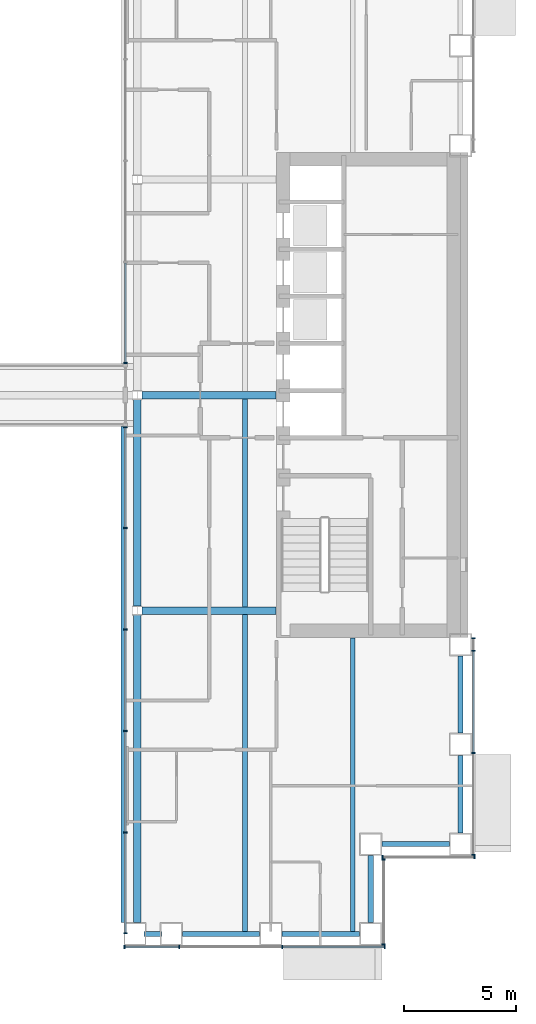
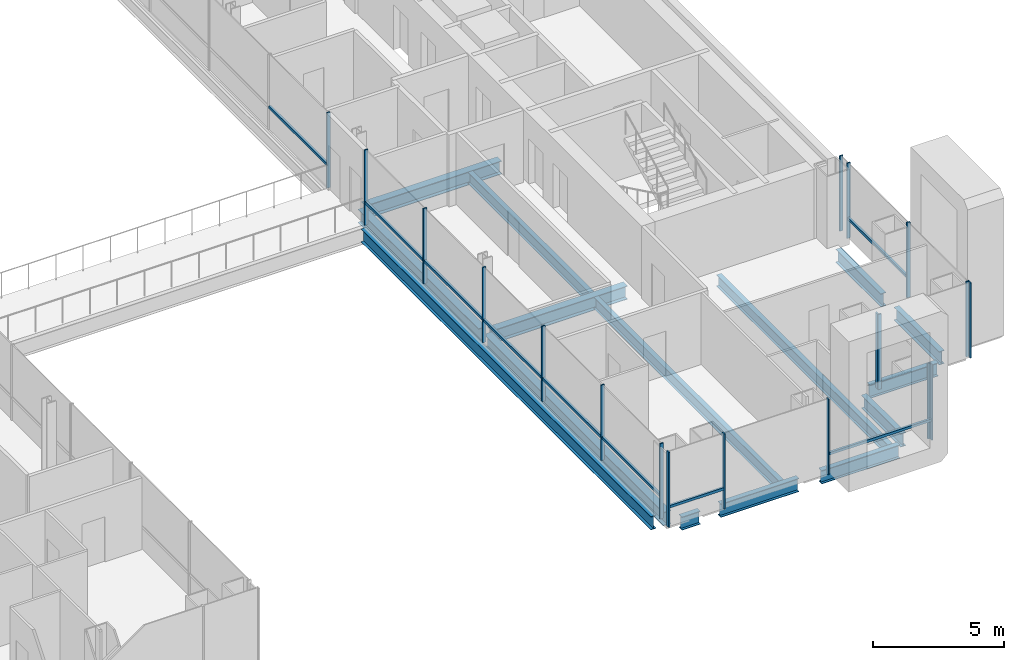
# One storey, part 4 of 21: 28 members, 15 beams, 6 elements without a shape of their own.
"""IFC4 building model written with IfcOpenShell, lengths in metres."""

from ifc_helpers import new_model, si_unit, direction, frame, origin, origin_2d, place, context, subcontext, project, spatial, rectangle, i_section, extrude, material, material_profile, profile_set, type_object, element, aggregate, save


model = new_model("IFC4")

# Units and contexts
model_context = context("Model", 3, precision=1e-05, world=origin(), true_north=direction((0.0, 1.0)))
body_context = subcontext(model_context, "Body", "Model", "MODEL_VIEW")
ifc_project = project(units=[si_unit("LENGTHUNIT", "METRE"), si_unit("AREAUNIT", "SQUARE_METRE"), si_unit("VOLUMEUNIT", "CUBIC_METRE"), si_unit("PLANEANGLEUNIT", "RADIAN"), si_unit("MASSUNIT", "GRAM", prefix="KILO")], contexts=[model_context])

# Site, building, storey
site_placement = place(None, origin())
site = spatial("IfcSite", under=ifc_project, at=site_placement, CompositionType="ELEMENT")
building_placement = place(site_placement, origin())
building = spatial("IfcBuilding", under=site, at=building_placement, Name="Cobrizo Arcos Hotel Tower", CompositionType="ELEMENT")
storey_placement = place(building_placement, frame((0.0, 0.0, 74.0)))
storey = spatial("IfcBuildingStorey", under=building, at=storey_placement, Name="L17", CompositionType="ELEMENT", Elevation=74.0)

# Curtain wall, members
ifc_material_1 = material(Name="Aluminium 6063-T6 anodised bronze", Category="aluminium")
curtain_wall_type_1 = type_object("IfcCurtainWallType", Name="CW-A guest facade", PredefinedType="NOTDEFINED", material=ifc_material_1)
curtain_wall_1_placement = place(storey_placement, origin())
curtain_wall_1 = element("IfcCurtainWall", 1, at=curtain_wall_1_placement, inside=storey, type_object=curtain_wall_type_1, Name="CW-A L17 S face", PredefinedType="NOTDEFINED")
ifc_material_profile_1 = material_profile(ifc_material_1, rectangle(XDim=0.14990234375, YDim=0.06005859375, at=origin_2d()), Name="CW-A mullion 150x60")
ifc_profile_set_1 = profile_set([ifc_material_profile_1], Name="Aluminium 6063-T6 anodised bronze")
member_type_1 = type_object("IfcMemberType", Name="CW-A mullion 150x60", PredefinedType="MULLION", material=ifc_profile_set_1)
member_1_placement = place(storey_placement, frame((9.030029296875, -24.574951171875, 0.0), z_axis=(0.0, 0.0, 1.0), x_axis=(0.0, -1.0, 0.0)))
member_1 = element("IfcMember", 2, at=member_1_placement, type_object=member_type_1, Name="CW-A mullion 1", PredefinedType="MULLION", context=body_context, shape_type="SweptSolid", body=[
    extrude(rectangle(XDim=0.14990234375, YDim=0.06005859375, at=origin_2d()), origin(), (0.0, 0.0, 1.0), 3.5),
])
member_2_placement = place(storey_placement, frame((11.47216796875, -24.574951171875, 0.0), z_axis=(0.0, 0.0, 1.0), x_axis=(0.0, -1.0, 0.0)))
member_2 = element("IfcMember", 3, at=member_2_placement, type_object=member_type_1, Name="CW-A mullion 2", PredefinedType="MULLION", context=body_context, shape_type="SweptSolid", body=[
    extrude(rectangle(XDim=0.14990234375, YDim=0.06005859375, at=origin_2d()), origin(), (0.0, 0.0, 1.0), 3.5),
])
member_3_placement = place(storey_placement, frame((16.06103515625, -24.574951171875, 0.0), z_axis=(0.0, 0.0, 1.0), x_axis=(0.0, -1.0, 0.0)))
member_3 = element("IfcMember", 4, at=member_3_placement, type_object=member_type_1, Name="CW-A mullion 3", PredefinedType="MULLION", context=body_context, shape_type="SweptSolid", body=[
    extrude(rectangle(XDim=0.14990234375, YDim=0.06005859375, at=origin_2d()), origin(), (0.0, 0.0, 1.0), 3.5),
])
member_4_placement = place(storey_placement, frame((20.6201171875, -24.574951171875, 0.0), z_axis=(0.0, 0.0, 1.0), x_axis=(0.0, -1.0, 0.0)))
member_4 = element("IfcMember", 5, at=member_4_placement, type_object=member_type_1, Name="CW-A mullion 4", PredefinedType="MULLION", context=body_context, shape_type="SweptSolid", body=[
    extrude(rectangle(XDim=0.14990234375, YDim=0.06005859375, at=origin_2d()), origin(), (0.0, 0.0, 1.0), 3.5),
])

curtain_wall_2_placement = place(storey_placement, origin())
curtain_wall_2 = element("IfcCurtainWall", 6, at=curtain_wall_2_placement, inside=storey, type_object=curtain_wall_type_1, Name="CW-A L17 E face", PredefinedType="NOTDEFINED")
member_5_placement = place(storey_placement, frame((20.574951171875, -24.469970703125, 0.0), z_axis=(0.0, 0.0, 1.0), x_axis=(1.0, 0.0, 0.0)))
member_5 = element("IfcMember", 7, at=member_5_placement, type_object=member_type_1, Name="CW-A mullion 1", PredefinedType="MULLION", context=body_context, shape_type="SweptSolid", body=[
    extrude(rectangle(XDim=0.14990234375, YDim=0.06005859375, at=origin_2d()), origin(), (0.0, 0.0, 1.0), 3.5),
])
member_6_placement = place(storey_placement, frame((20.574951171875, -20.679931640625, 0.0), z_axis=(0.0, 0.0, 1.0), x_axis=(1.0, 0.0, 0.0)))
member_6 = element("IfcMember", 8, at=member_6_placement, type_object=member_type_1, Name="CW-A mullion 2", PredefinedType="MULLION", context=body_context, shape_type="SweptSolid", body=[
    extrude(rectangle(XDim=0.14990234375, YDim=0.06005859375, at=origin_2d()), origin(), (0.0, 0.0, 1.0), 3.5),
])
aggregate(curtain_wall_2, [member_5, member_6])

curtain_wall_3_placement = place(storey_placement, origin())
curtain_wall_3 = element("IfcCurtainWall", 9, at=curtain_wall_3_placement, inside=storey, type_object=curtain_wall_type_1, Name="CW-A L17 S face", PredefinedType="NOTDEFINED")
member_7_placement = place(storey_placement, frame((20.530029296875, -20.574951171875, 0.0), z_axis=(0.0, 0.0, 1.0), x_axis=(0.0, -1.0, 0.0)))
member_7 = element("IfcMember", 10, at=member_7_placement, type_object=member_type_1, Name="CW-A mullion 1", PredefinedType="MULLION", context=body_context, shape_type="SweptSolid", body=[
    extrude(rectangle(XDim=0.14990234375, YDim=0.06005859375, at=origin_2d()), origin(), (0.0, 0.0, 1.0), 3.5),
])
member_8_placement = place(storey_placement, frame((24.6201171875, -20.574951171875, 0.0), z_axis=(0.0, 0.0, 1.0), x_axis=(0.0, -1.0, 0.0)))
member_8 = element("IfcMember", 11, at=member_8_placement, type_object=member_type_1, Name="CW-A mullion 2", PredefinedType="MULLION", context=body_context, shape_type="SweptSolid", body=[
    extrude(rectangle(XDim=0.14990234375, YDim=0.06005859375, at=origin_2d()), origin(), (0.0, 0.0, 1.0), 3.5),
])
aggregate(curtain_wall_3, [member_7, member_8])

curtain_wall_4_placement = place(storey_placement, origin())
curtain_wall_4 = element("IfcCurtainWall", 12, at=curtain_wall_4_placement, inside=storey, type_object=curtain_wall_type_1, Name="CW-A L17 E face", PredefinedType="NOTDEFINED")
member_9_placement = place(storey_placement, frame((24.574951171875, -20.469970703125, 0.0), z_axis=(0.0, 0.0, 1.0), x_axis=(1.0, 0.0, 0.0)))
member_9 = element("IfcMember", 13, at=member_9_placement, type_object=member_type_1, Name="CW-A mullion 1", PredefinedType="MULLION", context=body_context, shape_type="SweptSolid", body=[
    extrude(rectangle(XDim=0.14990234375, YDim=0.06005859375, at=origin_2d()), origin(), (0.0, 0.0, 1.0), 3.5),
])
member_10_placement = place(storey_placement, frame((24.574951171875, -15.9443359375, 0.0), z_axis=(0.0, 0.0, 1.0), x_axis=(1.0, 0.0, 0.0)))
member_10 = element("IfcMember", 14, at=member_10_placement, type_object=member_type_1, Name="CW-A mullion 2", PredefinedType="MULLION", context=body_context, shape_type="SweptSolid", body=[
    extrude(rectangle(XDim=0.14990234375, YDim=0.06005859375, at=origin_2d()), origin(), (0.0, 0.0, 1.0), 3.5),
])
member_11_placement = place(storey_placement, frame((24.574951171875, -11.388916015625, 0.0), z_axis=(0.0, 0.0, 1.0), x_axis=(1.0, 0.0, 0.0)))
member_11 = element("IfcMember", 15, at=member_11_placement, type_object=member_type_1, Name="CW-A mullion 3", PredefinedType="MULLION", context=body_context, shape_type="SweptSolid", body=[
    extrude(rectangle(XDim=0.14990234375, YDim=0.06005859375, at=origin_2d()), origin(), (0.0, 0.0, 1.0), 3.5),
])
member_12_placement = place(storey_placement, frame((24.574951171875, -10.830078125, 0.0), z_axis=(0.0, 0.0, 1.0), x_axis=(1.0, 0.0, 0.0)))
member_12 = element("IfcMember", 16, at=member_12_placement, type_object=member_type_1, Name="CW-A mullion 4", PredefinedType="MULLION", context=body_context, shape_type="SweptSolid", body=[
    extrude(rectangle(XDim=0.14990234375, YDim=0.06005859375, at=origin_2d()), origin(), (0.0, 0.0, 1.0), 3.5),
])

# Member
ifc_material_profile_2 = material_profile(ifc_material_1, rectangle(XDim=0.10009765625, YDim=0.1201171875, at=origin_2d()), Name="CW-A transom 120x100")
ifc_profile_set_2 = profile_set([ifc_material_profile_2], Name="Aluminium 6063-T6 anodised bronze")
member_type_2 = type_object("IfcMemberType", Name="CW-A transom 120x100", PredefinedType="USERDEFINED", material=ifc_profile_set_2)
member_13_placement = place(storey_placement, frame((9.06005859375, -24.574951171875, 0.929931640625), z_axis=(1.0, 0.0, 0.0), x_axis=(0.0, 1.0, 0.0)))
member_13 = element("IfcMember", 17, at=member_13_placement, type_object=member_type_2, Name="CW-A transom 720", ObjectType="TRANSOM", PredefinedType="USERDEFINED", context=body_context, shape_type="SweptSolid", body=[
    extrude(rectangle(XDim=0.10009765625, YDim=0.1201171875, at=origin_2d()), origin(), (0.0, 0.0, 1.0), 2.382080078125),
])

member_14_placement = place(storey_placement, frame((16.091064453125, -24.574951171875, 0.929931640625), z_axis=(1.0, 0.0, 0.0), x_axis=(0.0, 1.0, 0.0)))
member_14 = element("IfcMember", 18, at=member_14_placement, type_object=member_type_2, Name="CW-A transom 722", ObjectType="TRANSOM", PredefinedType="USERDEFINED", context=body_context, shape_type="SweptSolid", body=[
    extrude(rectangle(XDim=0.10009765625, YDim=0.1201171875, at=origin_2d()), origin(), (0.0, 0.0, 1.0), 4.4990234375),
])

aggregate(curtain_wall_1, [member_1, member_2, member_3, member_4, member_13, member_14])

member_15_placement = place(storey_placement, frame((24.574951171875, -15.91455078125, 0.929931640625), z_axis=(0.0, 1.0, 0.0), x_axis=(-1.0, 0.0, 0.0)))
member_15 = element("IfcMember", 19, at=member_15_placement, type_object=member_type_2, Name="CW-A transom 726", ObjectType="TRANSOM", PredefinedType="USERDEFINED", context=body_context, shape_type="SweptSolid", body=[
    extrude(rectangle(XDim=0.10009765625, YDim=0.1201171875, at=origin_2d()), origin(), (0.0, 0.0, 1.0), 4.49560546875),
])

aggregate(curtain_wall_4, [member_9, member_10, member_11, member_12, member_15])

# Curtain wall, members
curtain_wall_type_2 = type_object("IfcCurtainWallType", Name="CW-F void screen", PredefinedType="NOTDEFINED", material=ifc_material_1)
curtain_wall_5_placement = place(storey_placement, origin())
curtain_wall_5 = element("IfcCurtainWall", 20, at=curtain_wall_5_placement, inside=storey, type_object=curtain_wall_type_2, Name="CW-F L17 void screen A", PredefinedType="NOTDEFINED")
ifc_material_profile_3 = material_profile(ifc_material_1, rectangle(XDim=0.14990234375, YDim=0.06005859375, at=origin_2d()), Name="CW-F mullion 150x60")
ifc_profile_set_3 = profile_set([ifc_material_profile_3], Name="Aluminium 6063-T6 anodised bronze")
member_type_3 = type_object("IfcMemberType", Name="CW-F mullion 150x60", PredefinedType="MULLION", material=ifc_profile_set_3)
member_16_placement = place(storey_placement, frame((9.074951171875, -23.969970703125, 0.0), z_axis=(0.0, 0.0, 1.0), x_axis=(1.0, 0.0, 0.0)))
member_16 = element("IfcMember", 21, at=member_16_placement, type_object=member_type_3, Name="CW-F mullion 1", PredefinedType="MULLION", context=body_context, shape_type="SweptSolid", body=[
    extrude(rectangle(XDim=0.14990234375, YDim=0.06005859375, at=origin_2d()), origin(), (0.0, 0.0, 1.0), 3.5),
])
member_17_placement = place(storey_placement, frame((9.074951171875, -19.47998046875, 0.0), z_axis=(0.0, 0.0, 1.0), x_axis=(1.0, 0.0, 0.0)))
member_17 = element("IfcMember", 22, at=member_17_placement, type_object=member_type_3, Name="CW-F mullion 2", PredefinedType="MULLION", context=body_context, shape_type="SweptSolid", body=[
    extrude(rectangle(XDim=0.14990234375, YDim=0.06005859375, at=origin_2d()), origin(), (0.0, 0.0, 1.0), 3.5),
])
member_18_placement = place(storey_placement, frame((9.074951171875, -14.9599609375, 0.0), z_axis=(0.0, 0.0, 1.0), x_axis=(1.0, 0.0, 0.0)))
member_18 = element("IfcMember", 23, at=member_18_placement, type_object=member_type_3, Name="CW-F mullion 3", PredefinedType="MULLION", context=body_context, shape_type="SweptSolid", body=[
    extrude(rectangle(XDim=0.14990234375, YDim=0.06005859375, at=origin_2d()), origin(), (0.0, 0.0, 1.0), 3.5),
])
member_19_placement = place(storey_placement, frame((9.074951171875, -10.43994140625, 0.0), z_axis=(0.0, 0.0, 1.0), x_axis=(1.0, 0.0, 0.0)))
member_19 = element("IfcMember", 24, at=member_19_placement, type_object=member_type_3, Name="CW-F mullion 4", PredefinedType="MULLION", context=body_context, shape_type="SweptSolid", body=[
    extrude(rectangle(XDim=0.14990234375, YDim=0.06005859375, at=origin_2d()), origin(), (0.0, 0.0, 1.0), 3.5),
])
member_20_placement = place(storey_placement, frame((9.074951171875, -5.919921875, 0.0), z_axis=(0.0, 0.0, 1.0), x_axis=(1.0, 0.0, 0.0)))
member_20 = element("IfcMember", 25, at=member_20_placement, type_object=member_type_3, Name="CW-F mullion 5", PredefinedType="MULLION", context=body_context, shape_type="SweptSolid", body=[
    extrude(rectangle(XDim=0.14990234375, YDim=0.06005859375, at=origin_2d()), origin(), (0.0, 0.0, 1.0), 3.5),
])
member_21_placement = place(storey_placement, frame((9.074951171875, -1.429931640625, 0.0), z_axis=(0.0, 0.0, 1.0), x_axis=(1.0, 0.0, 0.0)))
member_21 = element("IfcMember", 26, at=member_21_placement, type_object=member_type_3, Name="CW-F mullion 6", PredefinedType="MULLION", context=body_context, shape_type="SweptSolid", body=[
    extrude(rectangle(XDim=0.14990234375, YDim=0.06005859375, at=origin_2d()), origin(), (0.0, 0.0, 1.0), 3.5),
])

# Curtain wall, member
curtain_wall_6_placement = place(storey_placement, origin())
curtain_wall_6 = element("IfcCurtainWall", 27, at=curtain_wall_6_placement, inside=storey, type_object=curtain_wall_type_2, Name="CW-F L17 void screen A", PredefinedType="NOTDEFINED")
member_22_placement = place(storey_placement, frame((9.074951171875, 1.429931640625, 0.0), z_axis=(0.0, 0.0, 1.0), x_axis=(1.0, 0.0, 0.0)))
member_22 = element("IfcMember", 28, at=member_22_placement, type_object=member_type_3, Name="CW-F mullion 1", PredefinedType="MULLION", context=body_context, shape_type="SweptSolid", body=[
    extrude(rectangle(XDim=0.14990234375, YDim=0.06005859375, at=origin_2d()), origin(), (0.0, 0.0, 1.0), 3.5),
])

# Member
ifc_material_profile_4 = material_profile(ifc_material_1, rectangle(XDim=0.10009765625, YDim=0.1201171875, at=origin_2d()), Name="CW-F transom 120x100")
ifc_profile_set_4 = profile_set([ifc_material_profile_4], Name="Aluminium 6063-T6 anodised bronze")
member_type_4 = type_object("IfcMemberType", Name="CW-F transom 120x100", PredefinedType="USERDEFINED", material=ifc_profile_set_4)
member_23_placement = place(storey_placement, frame((9.074951171875, -23.93994140625, 1.050048828125), z_axis=(0.0, 1.0, 0.0), x_axis=(-1.0, 0.0, 0.0)))
member_23 = element("IfcMember", 29, at=member_23_placement, type_object=member_type_4, Name="CW-F transom 2508", ObjectType="TRANSOM", PredefinedType="USERDEFINED", context=body_context, shape_type="SweptSolid", body=[
    extrude(rectangle(XDim=0.10009765625, YDim=0.1201171875, at=origin_2d()), origin(), (0.0, 0.0, 1.0), 4.429931640625),
])

member_24_placement = place(storey_placement, frame((9.074951171875, -19.449951171875, 1.050048828125), z_axis=(0.0, 1.0, 0.0), x_axis=(-1.0, 0.0, 0.0)))
member_24 = element("IfcMember", 30, at=member_24_placement, type_object=member_type_4, Name="CW-F transom 2509", ObjectType="TRANSOM", PredefinedType="USERDEFINED", context=body_context, shape_type="SweptSolid", body=[
    extrude(rectangle(XDim=0.10009765625, YDim=0.1201171875, at=origin_2d()), origin(), (0.0, 0.0, 1.0), 4.4599609375),
])

member_25_placement = place(storey_placement, frame((9.074951171875, -14.929931640625, 1.050048828125), z_axis=(0.0, 1.0, 0.0), x_axis=(-1.0, 0.0, 0.0)))
member_25 = element("IfcMember", 31, at=member_25_placement, type_object=member_type_4, Name="CW-F transom 2510", ObjectType="TRANSOM", PredefinedType="USERDEFINED", context=body_context, shape_type="SweptSolid", body=[
    extrude(rectangle(XDim=0.10009765625, YDim=0.1201171875, at=origin_2d()), origin(), (0.0, 0.0, 1.0), 4.4599609375),
])

member_26_placement = place(storey_placement, frame((9.074951171875, -10.409912109375, 1.050048828125), z_axis=(0.0, 1.0, 0.0), x_axis=(-1.0, 0.0, 0.0)))
member_26 = element("IfcMember", 32, at=member_26_placement, type_object=member_type_4, Name="CW-F transom 2511", ObjectType="TRANSOM", PredefinedType="USERDEFINED", context=body_context, shape_type="SweptSolid", body=[
    extrude(rectangle(XDim=0.10009765625, YDim=0.1201171875, at=origin_2d()), origin(), (0.0, 0.0, 1.0), 4.4599609375),
])

member_27_placement = place(storey_placement, frame((9.074951171875, -5.889892578125, 1.050048828125), z_axis=(0.0, 1.0, 0.0), x_axis=(-1.0, 0.0, 0.0)))
member_27 = element("IfcMember", 33, at=member_27_placement, type_object=member_type_4, Name="CW-F transom 2512", ObjectType="TRANSOM", PredefinedType="USERDEFINED", context=body_context, shape_type="SweptSolid", body=[
    extrude(rectangle(XDim=0.10009765625, YDim=0.1201171875, at=origin_2d()), origin(), (0.0, 0.0, 1.0), 4.429931640625),
])

aggregate(curtain_wall_5, [member_16, member_17, member_18, member_19, member_20, member_21, member_23, member_24, member_25, member_26, member_27])

member_28_placement = place(storey_placement, frame((9.074951171875, 1.4599609375, 1.050048828125), z_axis=(0.0, 1.0, 0.0), x_axis=(-1.0, 0.0, 0.0)))
member_28 = element("IfcMember", 34, at=member_28_placement, type_object=member_type_4, Name="CW-F transom 2513", ObjectType="TRANSOM", PredefinedType="USERDEFINED", context=body_context, shape_type="SweptSolid", body=[
    extrude(rectangle(XDim=0.10009765625, YDim=0.1201171875, at=origin_2d()), origin(), (0.0, 0.0, 1.0), 4.429931640625),
])

aggregate(curtain_wall_6, [member_22, member_28])

# Beams
ifc_material_2 = material(Name="Steel ASTM A992 Grade 50", Category="steel")
ifc_material_profile_5 = material_profile(ifc_material_2, i_section(OverallWidth=0.209228515625, OverallDepth=0.533447265625, WebThickness=0.01025390625, FlangeThickness=0.015625, at=origin_2d()), Name="W21X62")
ifc_profile_set_5 = profile_set([ifc_material_profile_5], Name="Steel ASTM A992 Grade 50")
beam_type_1 = type_object("IfcBeamType", Name="W21X62 joist", PredefinedType="JOIST", material=ifc_profile_set_5)
beam_1_placement = place(storey_placement, frame((14.39990234375, -23.909912109375, -0.416748046875), z_axis=(0.0, 1.0, 0.0), x_axis=(-1.0, 0.0, 0.0)))
element("IfcBeam", 35, at=beam_1_placement, inside=storey, type_object=beam_type_1, Name="Floor joist J1, L17, no. 007", PredefinedType="JOIST", context=body_context, shape_type="SweptSolid", body=[
    extrude(i_section(OverallWidth=0.209228515625, OverallDepth=0.533447265625, WebThickness=0.01025390625, FlangeThickness=0.015625, at=origin_2d()), origin(), (0.0, 0.0, 1.0), 14.14599609375),
])
beam_2_placement = place(storey_placement, frame((14.39990234375, -9.43603515625, -0.416748046875), z_axis=(0.0, 1.0, 0.0), x_axis=(-1.0, 0.0, 0.0)))
element("IfcBeam", 36, at=beam_2_placement, inside=storey, type_object=beam_type_1, Name="Floor joist J1, L17, no. 008", PredefinedType="JOIST", context=body_context, shape_type="SweptSolid", body=[
    extrude(i_section(OverallWidth=0.209228515625, OverallDepth=0.533447265625, WebThickness=0.01025390625, FlangeThickness=0.015625, at=origin_2d()), origin(), (0.0, 0.0, 1.0), 9.272216796875),
])
beam_3_placement = place(storey_placement, frame((19.199951171875, -23.909912109375, -0.416748046875), z_axis=(0.0, 1.0, 0.0), x_axis=(-1.0, 0.0, 0.0)))
element("IfcBeam", 37, at=beam_3_placement, inside=storey, type_object=beam_type_1, Name="Floor joist J1, L17, no. 011", PredefinedType="JOIST", context=body_context, shape_type="SweptSolid", body=[
    extrude(i_section(OverallWidth=0.209228515625, OverallDepth=0.533447265625, WebThickness=0.01025390625, FlangeThickness=0.015625, at=origin_2d()), origin(), (0.0, 0.0, 1.0), 13.099853515625),
])
ifc_material_profile_6 = material_profile(ifc_material_2, i_section(OverallWidth=0.32763671875, OverallDepth=0.622314453125, WebThickness=0.015380859375, FlangeThickness=0.0244140625, at=origin_2d()), Name="W24X131")
ifc_profile_set_6 = profile_set([ifc_material_profile_6], Name="Steel ASTM A992 Grade 50")
beam_type_2 = type_object("IfcBeamType", Name="W24X131 girder", PredefinedType="BEAM", material=ifc_profile_set_6)
for number, where, z_axis, x_axis, name in (
    (38, (9.804443359375, -9.60009765625, -0.461181640625), (1.0, 0.0, 0.0), (0.0, 1.0, 0.0), "Floor girder G1, L17, no. 002"),
    (39, (9.804443359375, 0.0, -0.461181640625), (1.0, 0.0, 0.0), (0.0, 1.0, 0.0), "Floor girder G1, L17, no. 005"),
):
    element("IfcBeam", number, at=place(storey_placement, frame(where, z_axis=z_axis, x_axis=x_axis)), inside=storey, type_object=beam_type_2, Name=name, PredefinedType="BEAM", context=body_context, shape_type="SweptSolid", body=[
        extrude(i_section(OverallWidth=0.32763671875, OverallDepth=0.622314453125, WebThickness=0.015380859375, FlangeThickness=0.0244140625, at=origin_2d()), origin(), (0.0, 0.0, 1.0), 5.985595703125),
    ])
beam_4_placement = place(storey_placement, frame((9.60009765625, -23.5, -0.461181640625), z_axis=(0.0, 1.0, 0.0), x_axis=(-1.0, 0.0, 0.0)))
element("IfcBeam", 40, at=beam_4_placement, inside=storey, type_object=beam_type_2, Name="Floor girder G1, L17, no. 012", PredefinedType="BEAM", context=body_context, shape_type="SweptSolid", body=[
    extrude(i_section(OverallWidth=0.32763671875, OverallDepth=0.622314453125, WebThickness=0.015380859375, FlangeThickness=0.0244140625, at=origin_2d()), origin(), (0.0, 0.0, 1.0), 13.695556640625),
])
beam_5_placement = place(storey_placement, frame((9.60009765625, -9.3955078125, -0.461181640625), z_axis=(0.0, 1.0, 0.0), x_axis=(-1.0, 0.0, 0.0)))
element("IfcBeam", 41, at=beam_5_placement, inside=storey, type_object=beam_type_2, Name="Floor girder G1, L17, no. 013", PredefinedType="BEAM", context=body_context, shape_type="SweptSolid", body=[
    extrude(i_section(OverallWidth=0.32763671875, OverallDepth=0.622314453125, WebThickness=0.015380859375, FlangeThickness=0.0244140625, at=origin_2d()), origin(), (0.0, 0.0, 1.0), 9.191162109375),
])
ifc_material_profile_7 = material_profile(ifc_material_2, i_section(OverallWidth=0.23046875, OverallDepth=0.6171875, WebThickness=0.01318359375, FlangeThickness=0.022216796875, at=origin_2d()), Name="W24X94")
ifc_profile_set_7 = profile_set([ifc_material_profile_7], Name="Steel ASTM A992 Grade 50")
beam_type_3 = type_object("IfcBeamType", Name="W24X94 spandrel", PredefinedType="SPANDREL", material=ifc_profile_set_7)
beam_6_placement = place(storey_placement, frame((24.0, -11.611083984375, -0.45849609375), z_axis=(0.0, -1.0, 0.0), x_axis=(1.0, 0.0, 0.0)))
element("IfcBeam", 42, at=beam_6_placement, inside=storey, type_object=beam_type_3, Name="Spandrel beam W24X94, L17, no. 004", PredefinedType="SPANDREL", context=body_context, shape_type="SweptSolid", body=[
    extrude(i_section(OverallWidth=0.23046875, OverallDepth=0.6171875, WebThickness=0.01318359375, FlangeThickness=0.022216796875, at=origin_2d()), origin(), (0.0, 0.0, 1.0), 3.44482421875),
])
beam_7_placement = place(storey_placement, frame((24.0, -16.055908203125, -0.45849609375), z_axis=(0.0, -1.0, 0.0), x_axis=(1.0, 0.0, 0.0)))
element("IfcBeam", 43, at=beam_7_placement, inside=storey, type_object=beam_type_3, Name="Spandrel beam W24X94, L17, no. 005", PredefinedType="SPANDREL", context=body_context, shape_type="SweptSolid", body=[
    extrude(i_section(OverallWidth=0.23046875, OverallDepth=0.6171875, WebThickness=0.01318359375, FlangeThickness=0.022216796875, at=origin_2d()), origin(), (0.0, 0.0, 1.0), 3.444091796875),
])
for number, where, z_axis, x_axis, name in (
    (44, (23.5, -20.0, -0.45849609375), (-1.0, 0.0, 0.0), (0.0, -1.0, 0.0), "Spandrel beam W24X94, L17, no. 006"),
    (45, (20.0, -20.5, -0.45849609375), (0.0, -1.0, 0.0), (1.0, 0.0, 0.0), "Spandrel beam W24X94, L17, no. 007"),
):
    element("IfcBeam", number, at=place(storey_placement, frame(where, z_axis=z_axis, x_axis=x_axis)), inside=storey, type_object=beam_type_3, Name=name, PredefinedType="SPANDREL", context=body_context, shape_type="SweptSolid", body=[
        extrude(i_section(OverallWidth=0.23046875, OverallDepth=0.6171875, WebThickness=0.01318359375, FlangeThickness=0.022216796875, at=origin_2d()), origin(), (0.0, 0.0, 1.0), 3.0),
    ])
beam_8_placement = place(storey_placement, frame((19.5, -24.0, -0.45849609375), z_axis=(-1.0, 0.0, 0.0), x_axis=(0.0, -1.0, 0.0)))
element("IfcBeam", 46, at=beam_8_placement, inside=storey, type_object=beam_type_3, Name="Spandrel beam W24X94, L17, no. 008", PredefinedType="SPANDREL", context=body_context, shape_type="SweptSolid", body=[
    extrude(i_section(OverallWidth=0.23046875, OverallDepth=0.6171875, WebThickness=0.01318359375, FlangeThickness=0.022216796875, at=origin_2d()), origin(), (0.0, 0.0, 1.0), 3.444091796875),
])
beam_9_placement = place(storey_placement, frame((15.055908203125, -24.0, -0.45849609375), z_axis=(-1.0, 0.0, 0.0), x_axis=(0.0, -1.0, 0.0)))
element("IfcBeam", 47, at=beam_9_placement, inside=storey, type_object=beam_type_3, Name="Spandrel beam W24X94, L17, no. 009", PredefinedType="SPANDREL", context=body_context, shape_type="SweptSolid", body=[
    extrude(i_section(OverallWidth=0.23046875, OverallDepth=0.6171875, WebThickness=0.01318359375, FlangeThickness=0.022216796875, at=origin_2d()), origin(), (0.0, 0.0, 1.0), 3.44482421875),
])
beam_10_placement = place(storey_placement, frame((10.7109375, -24.0, -0.45849609375), z_axis=(-1.0, 0.0, 0.0), x_axis=(0.0, -1.0, 0.0)))
element("IfcBeam", 48, at=beam_10_placement, inside=storey, type_object=beam_type_3, Name="Spandrel beam W24X94, L17, no. 010", PredefinedType="SPANDREL", context=body_context, shape_type="SweptSolid", body=[
    extrude(i_section(OverallWidth=0.23046875, OverallDepth=0.6171875, WebThickness=0.01318359375, FlangeThickness=0.022216796875, at=origin_2d()), origin(), (0.0, 0.0, 1.0), 0.81103515625),
])
beam_11_placement = place(storey_placement, frame((9.0, -23.5, -0.45849609375), z_axis=(0.0, 1.0, 0.0), x_axis=(-1.0, 0.0, 0.0)))
element("IfcBeam", 49, at=beam_11_placement, inside=storey, type_object=beam_type_3, Name="Spandrel beam W24X94, L17, no. 011", PredefinedType="SPANDREL", context=body_context, shape_type="SweptSolid", body=[
    extrude(i_section(OverallWidth=0.23046875, OverallDepth=0.6171875, WebThickness=0.01318359375, FlangeThickness=0.022216796875, at=origin_2d()), origin(), (0.0, 0.0, 1.0), 22.10009765625),
])

save(model, "model.ifc")
